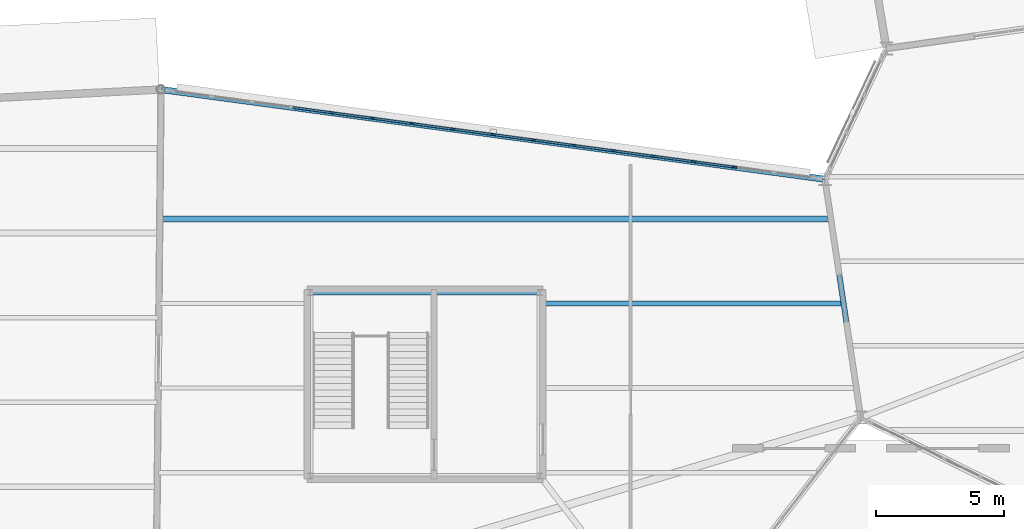
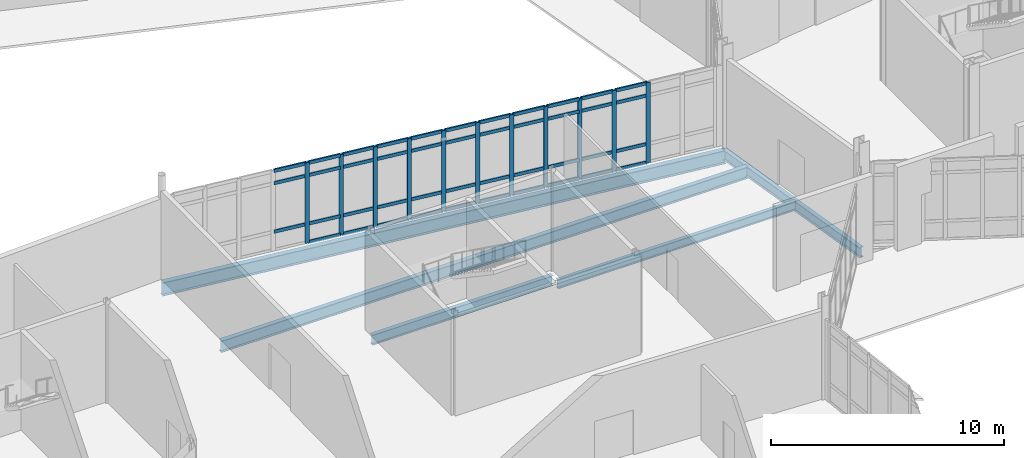
# One storey, part 31 of 113: 54 members, 5 beams, 1 element without a shape of its own.
"""IFC4 building model written with IfcOpenShell, lengths in metres."""

from ifc_helpers import new_model, si_unit, direction, frame, origin, origin_2d, place, context, subcontext, project, spatial, rectangle, i_section, extrude, material, material_profile, profile_set, type_object, element, aggregate, save


model = new_model("IFC4")

# Units and contexts
model_context = context("Model", 3, precision=1e-05, world=origin(), true_north=direction((0.0, 1.0)))
body_context = subcontext(model_context, "Body", "Model", "MODEL_VIEW")
ifc_project = project(units=[si_unit("LENGTHUNIT", "METRE"), si_unit("AREAUNIT", "SQUARE_METRE"), si_unit("VOLUMEUNIT", "CUBIC_METRE"), si_unit("PLANEANGLEUNIT", "RADIAN"), si_unit("MASSUNIT", "GRAM", prefix="KILO")], contexts=[model_context])

# Site, building, storey
site_placement = place(None, origin())
site = spatial("IfcSite", under=ifc_project, at=site_placement, CompositionType="ELEMENT")
building_placement = place(site_placement, origin())
building = spatial("IfcBuilding", under=site, at=building_placement, Name="Tameran Prism Museum", CompositionType="ELEMENT")
storey_placement = place(building_placement, origin())
storey = spatial("IfcBuildingStorey", under=building, at=storey_placement, Name="L00", CompositionType="ELEMENT", Elevation=0.0)

# Beams
ifc_material_1 = material(Name="Steel Grade 300PLUS (300 MPa)", Category="steel")
ifc_material_profile_1 = material_profile(ifc_material_1, i_section(OverallWidth=0.18994140625, OverallDepth=0.4541015625, WebThickness=0.008544921875, FlangeThickness=0.0126953125, FilletRadius=0.011474609375, at=origin_2d()))
ifc_profile_set_1 = profile_set([ifc_material_profile_1])
beam_type_1 = type_object("IfcBeamType", Name="BM-J460B", PredefinedType="JOIST", material=ifc_profile_set_1)
beam_1_placement = place(storey_placement, frame((38.47998046875, 34.64990234375, -0.467041015625), z_axis=(1.0, 0.0, 0.0), x_axis=(0.0, 1.0, 0.0)))
element("IfcBeam", 1, at=beam_1_placement, inside=storey, type_object=beam_type_1, Name="Floor Beam BM-0281", PredefinedType="JOIST", context=body_context, shape_type="SweptSolid", body=[
    extrude(i_section(OverallWidth=0.18994140625, OverallDepth=0.4541015625, WebThickness=0.008544921875, FlangeThickness=0.0126953125, FilletRadius=0.011474609375, at=origin_2d()), origin(), (0.0, 0.0, 1.0), 11.81005859375),
])
ifc_material_2 = material(Name="Steel Grade 300PLUS (300 MPa)", Category="steel")
ifc_material_profile_2 = material_profile(ifc_material_2, i_section(OverallWidth=0.208984375, OverallDepth=0.532958984375, WebThickness=0.01025390625, FlangeThickness=0.015625, FilletRadius=0.013916015625, at=origin_2d()))
ifc_profile_set_2 = profile_set([ifc_material_profile_2])
beam_type_2 = type_object("IfcBeamType", Name="BM-SP530A", PredefinedType="SPANDREL", material=ifc_profile_set_2)
beam_2_placement = place(storey_placement, frame((49.60009765625, 39.5, -0.506591796875), z_axis=(0.148849460064, -0.988859867847, 0.0), x_axis=(0.988859867847, 0.148849460064, 0.0)))
element("IfcBeam", 2, at=beam_2_placement, inside=storey, type_object=beam_type_2, Name="Perimeter Spandrel SP-0021", PredefinedType="SPANDREL", context=body_context, shape_type="SweptSolid", body=[
    extrude(i_section(OverallWidth=0.208984375, OverallDepth=0.532958984375, WebThickness=0.01025390625, FlangeThickness=0.015625, FilletRadius=0.013916015625, at=origin_2d()), origin(), (0.0, 0.0, 1.0), 9.40478515625),
])
ifc_material_3 = material(Name="Steel Grade 300PLUS (300 MPa)", Category="steel")
ifc_material_profile_3 = material_profile(ifc_material_3, i_section(OverallWidth=0.208984375, OverallDepth=0.528076171875, WebThickness=0.009521484375, FlangeThickness=0.01318359375, FilletRadius=0.013916015625, at=origin_2d()))
ifc_profile_set_3 = profile_set([ifc_material_profile_3])
beam_type_3 = type_object("IfcBeamType", Name="BM-SP530B", PredefinedType="SPANDREL", material=ifc_profile_set_3)
beam_3_placement = place(storey_placement, frame((38.47998046875, 35.080078125, -0.50390625), z_axis=(-1.0, 0.0, 0.0), x_axis=(0.0, -1.0, 0.0)))
element("IfcBeam", 3, at=beam_3_placement, inside=storey, type_object=beam_type_3, Name="Core Ring Beam CTB-0148", PredefinedType="SPANDREL", context=body_context, shape_type="SweptSolid", body=[
    extrude(i_section(OverallWidth=0.208984375, OverallDepth=0.528076171875, WebThickness=0.009521484375, FlangeThickness=0.01318359375, FilletRadius=0.013916015625, at=origin_2d()), origin(), (0.0, 0.0, 1.0), 8.9599609375),
])
ifc_material_4 = material(Name="Steel Grade 350 (350 MPa)", Category="steel")
ifc_material_profile_4 = material_profile(ifc_material_4, i_section(OverallWidth=0.25, OverallDepth=0.699951171875, WebThickness=0.010009765625, FlangeThickness=0.02001953125, at=origin_2d()))
ifc_profile_set_4 = profile_set([ifc_material_profile_4])
beam_type_4 = type_object("IfcBeamType", Name="BM-SP700", PredefinedType="SPANDREL", material=ifc_profile_set_4)
beam_4_placement = place(storey_placement, frame((49.60009765625, 39.5, -0.590087890625), z_axis=(-0.990992530926, 0.13391715218, 0.0), x_axis=(-0.13391715218, -0.990992530926, 0.0)))
element("IfcBeam", 4, at=beam_4_placement, inside=storey, type_object=beam_type_4, Name="Perimeter Spandrel SP-0073", PredefinedType="SPANDREL", context=body_context, shape_type="SweptSolid", body=[
    extrude(i_section(OverallWidth=0.25, OverallDepth=0.699951171875, WebThickness=0.010009765625, FlangeThickness=0.02001953125, at=origin_2d()), origin(), (0.0, 0.0, 1.0), 26.135498046875),
])
ifc_material_5 = material(Name="Steel Grade 300PLUS (300 MPa)", Category="steel")
ifc_material_profile_5 = material_profile(ifc_material_5, i_section(OverallWidth=0.22802734375, OverallDepth=0.60693359375, WebThickness=0.01123046875, FlangeThickness=0.017333984375, FilletRadius=0.013916015625, at=origin_2d()))
ifc_profile_set_5 = profile_set([ifc_material_profile_5])
beam_type_5 = type_object("IfcBeamType", Name="BM-UB610B", PredefinedType="BEAM", material=ifc_profile_set_5)
beam_5_placement = place(storey_placement, frame((23.69189453125, 37.949951171875, -0.54345703125), z_axis=(1.0, 0.0, 0.0), x_axis=(0.0, 1.0, 0.0)))
element("IfcBeam", 5, at=beam_5_placement, inside=storey, type_object=beam_type_5, Name="Floor Beam BM-0282", PredefinedType="BEAM", context=body_context, shape_type="SweptSolid", body=[
    extrude(i_section(OverallWidth=0.22802734375, OverallDepth=0.60693359375, WebThickness=0.01123046875, FlangeThickness=0.017333984375, FilletRadius=0.013916015625, at=origin_2d()), origin(), (0.0, 0.0, 1.0), 26.10107421875),
])

# Curtain wall, members
ifc_material_6 = material(Name="Anodised Aluminium 6063-T6 and Cyclone Solar Glass", Category="aluminium")
curtain_wall_type = type_object("IfcCurtainWallType", Name="CW-FAC-2532x422", PredefinedType="USERDEFINED", material=ifc_material_6)
curtain_wall_placement = place(storey_placement, origin())
curtain_wall = element("IfcCurtainWall", 6, at=curtain_wall_placement, inside=storey, type_object=curtain_wall_type, Name="Unitised Curtain Wall CW-049", ObjectType="UNITISED CURTAIN WALL", PredefinedType="USERDEFINED")
ifc_material_7 = material(Name="Anodised Aluminium Alloy 6063-T6", Category="aluminium")
ifc_material_profile_6 = material_profile(ifc_material_7, rectangle(XDim=0.074951171875, YDim=0.199951171875, at=origin_2d()))
ifc_profile_set_6 = profile_set([ifc_material_profile_6])
member_type_1 = type_object("IfcMemberType", Name="CW-MUL-C", PredefinedType="MULLION", material=ifc_profile_set_6)
member_1_placement = place(storey_placement, frame((30.378662109375, 42.097412109375, 0.0), z_axis=(0.0, 0.0, 1.0), x_axis=(0.133912653592, 0.99099313883, 0.0)))
member_1 = element("IfcMember", 7, at=member_1_placement, type_object=member_type_1, Name="CW-049 mullion 5", PredefinedType="MULLION", context=body_context, shape_type="SweptSolid", body=[
    extrude(rectangle(XDim=0.074951171875, YDim=0.199951171875, at=origin_2d()), origin(), (0.0, 0.0, 1.0), 4.219970703125),
])
member_2_placement = place(storey_placement, frame((31.94677734375, 41.8857421875, 0.0), z_axis=(0.0, 0.0, 1.0), x_axis=(0.133912653592, 0.99099313883, 0.0)))
member_2 = element("IfcMember", 8, at=member_2_placement, type_object=member_type_1, Name="CW-049 mullion 6", PredefinedType="MULLION", context=body_context, shape_type="SweptSolid", body=[
    extrude(rectangle(XDim=0.074951171875, YDim=0.199951171875, at=origin_2d()), origin(), (0.0, 0.0, 1.0), 4.219970703125),
])
member_3_placement = place(storey_placement, frame((33.5146484375, 41.673828125, 0.0), z_axis=(0.0, 0.0, 1.0), x_axis=(0.133912653592, 0.99099313883, 0.0)))
member_3 = element("IfcMember", 9, at=member_3_placement, type_object=member_type_1, Name="CW-049 mullion 7", PredefinedType="MULLION", context=body_context, shape_type="SweptSolid", body=[
    extrude(rectangle(XDim=0.074951171875, YDim=0.199951171875, at=origin_2d()), origin(), (0.0, 0.0, 1.0), 4.219970703125),
])
member_4_placement = place(storey_placement, frame((35.08251953125, 41.4619140625, 0.0), z_axis=(0.0, 0.0, 1.0), x_axis=(0.133912653592, 0.99099313883, 0.0)))
member_4 = element("IfcMember", 10, at=member_4_placement, type_object=member_type_1, Name="CW-049 mullion 8", PredefinedType="MULLION", context=body_context, shape_type="SweptSolid", body=[
    extrude(rectangle(XDim=0.074951171875, YDim=0.199951171875, at=origin_2d()), origin(), (0.0, 0.0, 1.0), 4.219970703125),
])
member_5_placement = place(storey_placement, frame((36.650390625, 41.25, 0.0), z_axis=(0.0, 0.0, 1.0), x_axis=(0.133912653592, 0.99099313883, 0.0)))
member_5 = element("IfcMember", 11, at=member_5_placement, type_object=member_type_1, Name="CW-049 mullion 9", PredefinedType="MULLION", context=body_context, shape_type="SweptSolid", body=[
    extrude(rectangle(XDim=0.074951171875, YDim=0.199951171875, at=origin_2d()), origin(), (0.0, 0.0, 1.0), 4.219970703125),
])
member_6_placement = place(storey_placement, frame((38.218505859375, 41.0380859375, 0.0), z_axis=(0.0, 0.0, 1.0), x_axis=(0.133912653592, 0.99099313883, 0.0)))
member_6 = element("IfcMember", 12, at=member_6_placement, type_object=member_type_1, Name="CW-049 mullion 10", PredefinedType="MULLION", context=body_context, shape_type="SweptSolid", body=[
    extrude(rectangle(XDim=0.074951171875, YDim=0.199951171875, at=origin_2d()), origin(), (0.0, 0.0, 1.0), 4.219970703125),
])
member_7_placement = place(storey_placement, frame((39.786376953125, 40.826171875, 0.0), z_axis=(0.0, 0.0, 1.0), x_axis=(0.133912653592, 0.99099313883, 0.0)))
member_7 = element("IfcMember", 13, at=member_7_placement, type_object=member_type_1, Name="CW-049 mullion 11", PredefinedType="MULLION", context=body_context, shape_type="SweptSolid", body=[
    extrude(rectangle(XDim=0.074951171875, YDim=0.199951171875, at=origin_2d()), origin(), (0.0, 0.0, 1.0), 4.219970703125),
])
member_8_placement = place(storey_placement, frame((41.354248046875, 40.6142578125, 0.0), z_axis=(0.0, 0.0, 1.0), x_axis=(0.133912653592, 0.99099313883, 0.0)))
member_8 = element("IfcMember", 14, at=member_8_placement, type_object=member_type_1, Name="CW-049 mullion 12", PredefinedType="MULLION", context=body_context, shape_type="SweptSolid", body=[
    extrude(rectangle(XDim=0.074951171875, YDim=0.199951171875, at=origin_2d()), origin(), (0.0, 0.0, 1.0), 4.219970703125),
])
member_9_placement = place(storey_placement, frame((42.92236328125, 40.402587890625, 0.0), z_axis=(0.0, 0.0, 1.0), x_axis=(0.133912653592, 0.99099313883, 0.0)))
member_9 = element("IfcMember", 15, at=member_9_placement, type_object=member_type_1, Name="CW-049 mullion 13", PredefinedType="MULLION", context=body_context, shape_type="SweptSolid", body=[
    extrude(rectangle(XDim=0.074951171875, YDim=0.199951171875, at=origin_2d()), origin(), (0.0, 0.0, 1.0), 4.219970703125),
])
member_10_placement = place(storey_placement, frame((44.490234375, 40.190673828125, 0.0), z_axis=(0.0, 0.0, 1.0), x_axis=(0.133912653592, 0.99099313883, 0.0)))
member_10 = element("IfcMember", 16, at=member_10_placement, type_object=member_type_1, Name="CW-049 mullion 14", PredefinedType="MULLION", context=body_context, shape_type="SweptSolid", body=[
    extrude(rectangle(XDim=0.074951171875, YDim=0.199951171875, at=origin_2d()), origin(), (0.0, 0.0, 1.0), 4.219970703125),
])
member_11_placement = place(storey_placement, frame((46.05810546875, 39.978759765625, 0.0), z_axis=(0.0, 0.0, 1.0), x_axis=(0.133912653592, 0.99099313883, 0.0)))
member_11 = element("IfcMember", 17, at=member_11_placement, type_object=member_type_1, Name="CW-049 mullion 15", PredefinedType="MULLION", context=body_context, shape_type="SweptSolid", body=[
    extrude(rectangle(XDim=0.074951171875, YDim=0.199951171875, at=origin_2d()), origin(), (0.0, 0.0, 1.0), 4.219970703125),
])
ifc_material_8 = material(Name="Anodised Aluminium Alloy 6063-T6", Category="aluminium")
ifc_material_profile_7 = material_profile(ifc_material_8, rectangle(XDim=0.074951171875, YDim=0.175048828125, at=origin_2d()))
ifc_profile_set_7 = profile_set([ifc_material_profile_7])
member_type_2 = type_object("IfcMemberType", Name="CW-TRN-C", PredefinedType="USERDEFINED", material=ifc_profile_set_7)
member_12_placement = place(storey_placement, frame((28.847900390625, 42.304443359375, 1.0), z_axis=(0.990987200779, -0.133956589579, 0.0), x_axis=(0.133956589579, 0.990987200779, 0.0)))
member_12 = element("IfcMember", 18, at=member_12_placement, type_object=member_type_2, Name="CW-049 transom 4.2", ObjectType="TRANSOM", PredefinedType="USERDEFINED", context=body_context, shape_type="SweptSolid", body=[
    extrude(rectangle(XDim=0.074951171875, YDim=0.175048828125, at=origin_2d()), origin(), (0.0, 0.0, 1.0), 1.50732421875),
])
member_13_placement = place(storey_placement, frame((28.847900390625, 42.304443359375, 3.5400390625), z_axis=(0.990987200779, -0.133956589579, 0.0), x_axis=(0.133956589579, 0.990987200779, 0.0)))
member_13 = element("IfcMember", 19, at=member_13_placement, type_object=member_type_2, Name="CW-049 transom 4.3", ObjectType="TRANSOM", PredefinedType="USERDEFINED", context=body_context, shape_type="SweptSolid", body=[
    extrude(rectangle(XDim=0.074951171875, YDim=0.175048828125, at=origin_2d()), origin(), (0.0, 0.0, 1.0), 1.50732421875),
])
member_14_placement = place(storey_placement, frame((28.847900390625, 42.304443359375, 4.1826171875), z_axis=(0.990987200779, -0.133956589579, 0.0), x_axis=(0.133956589579, 0.990987200779, 0.0)))
member_14 = element("IfcMember", 20, at=member_14_placement, type_object=member_type_2, Name="CW-049 transom 4.4", ObjectType="TRANSOM", PredefinedType="USERDEFINED", context=body_context, shape_type="SweptSolid", body=[
    extrude(rectangle(XDim=0.074951171875, YDim=0.175048828125, at=origin_2d()), origin(), (0.0, 0.0, 1.0), 1.50732421875),
])
member_15_placement = place(storey_placement, frame((30.416015625, 42.092529296875, 0.03759765625), z_axis=(0.990984293469, -0.133978095586, 0.0), x_axis=(0.133978095586, 0.990984293469, 0.0)))
member_15 = element("IfcMember", 21, at=member_15_placement, type_object=member_type_2, Name="CW-049 transom 5.1", ObjectType="TRANSOM", PredefinedType="USERDEFINED", context=body_context, shape_type="SweptSolid", body=[
    extrude(rectangle(XDim=0.074951171875, YDim=0.175048828125, at=origin_2d()), origin(), (0.0, 0.0, 1.0), 1.507080078125),
])
member_16_placement = place(storey_placement, frame((30.416015625, 42.092529296875, 1.0), z_axis=(0.990984293469, -0.133978095586, 0.0), x_axis=(0.133978095586, 0.990984293469, 0.0)))
member_16 = element("IfcMember", 22, at=member_16_placement, type_object=member_type_2, Name="CW-049 transom 5.2", ObjectType="TRANSOM", PredefinedType="USERDEFINED", context=body_context, shape_type="SweptSolid", body=[
    extrude(rectangle(XDim=0.074951171875, YDim=0.175048828125, at=origin_2d()), origin(), (0.0, 0.0, 1.0), 1.507080078125),
])
member_17_placement = place(storey_placement, frame((30.416015625, 42.092529296875, 3.5400390625), z_axis=(0.990984293469, -0.133978095586, 0.0), x_axis=(0.133978095586, 0.990984293469, 0.0)))
member_17 = element("IfcMember", 23, at=member_17_placement, type_object=member_type_2, Name="CW-049 transom 5.3", ObjectType="TRANSOM", PredefinedType="USERDEFINED", context=body_context, shape_type="SweptSolid", body=[
    extrude(rectangle(XDim=0.074951171875, YDim=0.175048828125, at=origin_2d()), origin(), (0.0, 0.0, 1.0), 1.507080078125),
])
member_18_placement = place(storey_placement, frame((30.416015625, 42.092529296875, 4.1826171875), z_axis=(0.990984293469, -0.133978095586, 0.0), x_axis=(0.133978095586, 0.990984293469, 0.0)))
member_18 = element("IfcMember", 24, at=member_18_placement, type_object=member_type_2, Name="CW-049 transom 5.4", ObjectType="TRANSOM", PredefinedType="USERDEFINED", context=body_context, shape_type="SweptSolid", body=[
    extrude(rectangle(XDim=0.074951171875, YDim=0.175048828125, at=origin_2d()), origin(), (0.0, 0.0, 1.0), 1.507080078125),
])
member_19_placement = place(storey_placement, frame((31.98388671875, 41.880615234375, 0.03759765625), z_axis=(0.990987200779, -0.133956589579, 0.0), x_axis=(0.133956589579, 0.990987200779, 0.0)))
member_19 = element("IfcMember", 25, at=member_19_placement, type_object=member_type_2, Name="CW-049 transom 6.1", ObjectType="TRANSOM", PredefinedType="USERDEFINED", context=body_context, shape_type="SweptSolid", body=[
    extrude(rectangle(XDim=0.074951171875, YDim=0.175048828125, at=origin_2d()), origin(), (0.0, 0.0, 1.0), 1.50732421875),
])
member_20_placement = place(storey_placement, frame((31.98388671875, 41.880615234375, 1.0), z_axis=(0.990987200779, -0.133956589579, 0.0), x_axis=(0.133956589579, 0.990987200779, 0.0)))
member_20 = element("IfcMember", 26, at=member_20_placement, type_object=member_type_2, Name="CW-049 transom 6.2", ObjectType="TRANSOM", PredefinedType="USERDEFINED", context=body_context, shape_type="SweptSolid", body=[
    extrude(rectangle(XDim=0.074951171875, YDim=0.175048828125, at=origin_2d()), origin(), (0.0, 0.0, 1.0), 1.50732421875),
])
member_21_placement = place(storey_placement, frame((31.98388671875, 41.880615234375, 3.5400390625), z_axis=(0.990987200779, -0.133956589579, 0.0), x_axis=(0.133956589579, 0.990987200779, 0.0)))
member_21 = element("IfcMember", 27, at=member_21_placement, type_object=member_type_2, Name="CW-049 transom 6.3", ObjectType="TRANSOM", PredefinedType="USERDEFINED", context=body_context, shape_type="SweptSolid", body=[
    extrude(rectangle(XDim=0.074951171875, YDim=0.175048828125, at=origin_2d()), origin(), (0.0, 0.0, 1.0), 1.50732421875),
])
member_22_placement = place(storey_placement, frame((31.98388671875, 41.880615234375, 4.1826171875), z_axis=(0.990987200779, -0.133956589579, 0.0), x_axis=(0.133956589579, 0.990987200779, 0.0)))
member_22 = element("IfcMember", 28, at=member_22_placement, type_object=member_type_2, Name="CW-049 transom 6.4", ObjectType="TRANSOM", PredefinedType="USERDEFINED", context=body_context, shape_type="SweptSolid", body=[
    extrude(rectangle(XDim=0.074951171875, YDim=0.175048828125, at=origin_2d()), origin(), (0.0, 0.0, 1.0), 1.50732421875),
])
member_23_placement = place(storey_placement, frame((33.5517578125, 41.668701171875, 0.03759765625), z_axis=(0.990987200779, -0.133956589579, 0.0), x_axis=(0.133956589579, 0.990987200779, 0.0)))
member_23 = element("IfcMember", 29, at=member_23_placement, type_object=member_type_2, Name="CW-049 transom 7.1", ObjectType="TRANSOM", PredefinedType="USERDEFINED", context=body_context, shape_type="SweptSolid", body=[
    extrude(rectangle(XDim=0.074951171875, YDim=0.175048828125, at=origin_2d()), origin(), (0.0, 0.0, 1.0), 1.50732421875),
])
member_24_placement = place(storey_placement, frame((33.5517578125, 41.668701171875, 1.0), z_axis=(0.990987200779, -0.133956589579, 0.0), x_axis=(0.133956589579, 0.990987200779, 0.0)))
member_24 = element("IfcMember", 30, at=member_24_placement, type_object=member_type_2, Name="CW-049 transom 7.2", ObjectType="TRANSOM", PredefinedType="USERDEFINED", context=body_context, shape_type="SweptSolid", body=[
    extrude(rectangle(XDim=0.074951171875, YDim=0.175048828125, at=origin_2d()), origin(), (0.0, 0.0, 1.0), 1.50732421875),
])
member_25_placement = place(storey_placement, frame((33.5517578125, 41.668701171875, 3.5400390625), z_axis=(0.990987200779, -0.133956589579, 0.0), x_axis=(0.133956589579, 0.990987200779, 0.0)))
member_25 = element("IfcMember", 31, at=member_25_placement, type_object=member_type_2, Name="CW-049 transom 7.3", ObjectType="TRANSOM", PredefinedType="USERDEFINED", context=body_context, shape_type="SweptSolid", body=[
    extrude(rectangle(XDim=0.074951171875, YDim=0.175048828125, at=origin_2d()), origin(), (0.0, 0.0, 1.0), 1.50732421875),
])
member_26_placement = place(storey_placement, frame((33.5517578125, 41.668701171875, 4.1826171875), z_axis=(0.990987200779, -0.133956589579, 0.0), x_axis=(0.133956589579, 0.990987200779, 0.0)))
member_26 = element("IfcMember", 32, at=member_26_placement, type_object=member_type_2, Name="CW-049 transom 7.4", ObjectType="TRANSOM", PredefinedType="USERDEFINED", context=body_context, shape_type="SweptSolid", body=[
    extrude(rectangle(XDim=0.074951171875, YDim=0.175048828125, at=origin_2d()), origin(), (0.0, 0.0, 1.0), 1.50732421875),
])
member_27_placement = place(storey_placement, frame((35.11962890625, 41.456787109375, 0.03759765625), z_axis=(0.991008691064, -0.133797512066, 0.0), x_axis=(0.133797512066, 0.991008691064, 0.0)))
member_27 = element("IfcMember", 33, at=member_27_placement, type_object=member_type_2, Name="CW-049 transom 8.1", ObjectType="TRANSOM", PredefinedType="USERDEFINED", context=body_context, shape_type="SweptSolid", body=[
    extrude(rectangle(XDim=0.074951171875, YDim=0.175048828125, at=origin_2d()), origin(), (0.0, 0.0, 1.0), 1.50732421875),
])
member_28_placement = place(storey_placement, frame((35.11962890625, 41.456787109375, 1.0), z_axis=(0.991008691064, -0.133797512066, 0.0), x_axis=(0.133797512066, 0.991008691064, 0.0)))
member_28 = element("IfcMember", 34, at=member_28_placement, type_object=member_type_2, Name="CW-049 transom 8.2", ObjectType="TRANSOM", PredefinedType="USERDEFINED", context=body_context, shape_type="SweptSolid", body=[
    extrude(rectangle(XDim=0.074951171875, YDim=0.175048828125, at=origin_2d()), origin(), (0.0, 0.0, 1.0), 1.50732421875),
])
member_29_placement = place(storey_placement, frame((35.11962890625, 41.456787109375, 3.5400390625), z_axis=(0.991008691064, -0.133797512066, 0.0), x_axis=(0.133797512066, 0.991008691064, 0.0)))
member_29 = element("IfcMember", 35, at=member_29_placement, type_object=member_type_2, Name="CW-049 transom 8.3", ObjectType="TRANSOM", PredefinedType="USERDEFINED", context=body_context, shape_type="SweptSolid", body=[
    extrude(rectangle(XDim=0.074951171875, YDim=0.175048828125, at=origin_2d()), origin(), (0.0, 0.0, 1.0), 1.50732421875),
])
member_30_placement = place(storey_placement, frame((35.11962890625, 41.456787109375, 4.1826171875), z_axis=(0.991008691064, -0.133797512066, 0.0), x_axis=(0.133797512066, 0.991008691064, 0.0)))
member_30 = element("IfcMember", 36, at=member_30_placement, type_object=member_type_2, Name="CW-049 transom 8.4", ObjectType="TRANSOM", PredefinedType="USERDEFINED", context=body_context, shape_type="SweptSolid", body=[
    extrude(rectangle(XDim=0.074951171875, YDim=0.175048828125, at=origin_2d()), origin(), (0.0, 0.0, 1.0), 1.50732421875),
])
member_31_placement = place(storey_placement, frame((36.687744140625, 41.244873046875, 0.03759765625), z_axis=(0.991008691064, -0.133797512066, 0.0), x_axis=(0.133797512066, 0.991008691064, 0.0)))
member_31 = element("IfcMember", 37, at=member_31_placement, type_object=member_type_2, Name="CW-049 transom 9.1", ObjectType="TRANSOM", PredefinedType="USERDEFINED", context=body_context, shape_type="SweptSolid", body=[
    extrude(rectangle(XDim=0.074951171875, YDim=0.175048828125, at=origin_2d()), origin(), (0.0, 0.0, 1.0), 1.50732421875),
])
member_32_placement = place(storey_placement, frame((36.687744140625, 41.244873046875, 1.0), z_axis=(0.991008691064, -0.133797512066, 0.0), x_axis=(0.133797512066, 0.991008691064, 0.0)))
member_32 = element("IfcMember", 38, at=member_32_placement, type_object=member_type_2, Name="CW-049 transom 9.2", ObjectType="TRANSOM", PredefinedType="USERDEFINED", context=body_context, shape_type="SweptSolid", body=[
    extrude(rectangle(XDim=0.074951171875, YDim=0.175048828125, at=origin_2d()), origin(), (0.0, 0.0, 1.0), 1.50732421875),
])
member_33_placement = place(storey_placement, frame((36.687744140625, 41.244873046875, 3.5400390625), z_axis=(0.991008691064, -0.133797512066, 0.0), x_axis=(0.133797512066, 0.991008691064, 0.0)))
member_33 = element("IfcMember", 39, at=member_33_placement, type_object=member_type_2, Name="CW-049 transom 9.3", ObjectType="TRANSOM", PredefinedType="USERDEFINED", context=body_context, shape_type="SweptSolid", body=[
    extrude(rectangle(XDim=0.074951171875, YDim=0.175048828125, at=origin_2d()), origin(), (0.0, 0.0, 1.0), 1.50732421875),
])
member_34_placement = place(storey_placement, frame((36.687744140625, 41.244873046875, 4.1826171875), z_axis=(0.991008691064, -0.133797512066, 0.0), x_axis=(0.133797512066, 0.991008691064, 0.0)))
member_34 = element("IfcMember", 40, at=member_34_placement, type_object=member_type_2, Name="CW-049 transom 9.4", ObjectType="TRANSOM", PredefinedType="USERDEFINED", context=body_context, shape_type="SweptSolid", body=[
    extrude(rectangle(XDim=0.074951171875, YDim=0.175048828125, at=origin_2d()), origin(), (0.0, 0.0, 1.0), 1.50732421875),
])
member_35_placement = place(storey_placement, frame((38.255615234375, 41.033203125, 0.03759765625), z_axis=(0.990987200779, -0.133956589579, 0.0), x_axis=(0.133956589579, 0.990987200779, 0.0)))
member_35 = element("IfcMember", 41, at=member_35_placement, type_object=member_type_2, Name="CW-049 transom 10.1", ObjectType="TRANSOM", PredefinedType="USERDEFINED", context=body_context, shape_type="SweptSolid", body=[
    extrude(rectangle(XDim=0.074951171875, YDim=0.175048828125, at=origin_2d()), origin(), (0.0, 0.0, 1.0), 1.50732421875),
])
member_36_placement = place(storey_placement, frame((38.255615234375, 41.033203125, 1.0), z_axis=(0.990987200779, -0.133956589579, 0.0), x_axis=(0.133956589579, 0.990987200779, 0.0)))
member_36 = element("IfcMember", 42, at=member_36_placement, type_object=member_type_2, Name="CW-049 transom 10.2", ObjectType="TRANSOM", PredefinedType="USERDEFINED", context=body_context, shape_type="SweptSolid", body=[
    extrude(rectangle(XDim=0.074951171875, YDim=0.175048828125, at=origin_2d()), origin(), (0.0, 0.0, 1.0), 1.50732421875),
])
member_37_placement = place(storey_placement, frame((38.255615234375, 41.033203125, 3.5400390625), z_axis=(0.990987200779, -0.133956589579, 0.0), x_axis=(0.133956589579, 0.990987200779, 0.0)))
member_37 = element("IfcMember", 43, at=member_37_placement, type_object=member_type_2, Name="CW-049 transom 10.3", ObjectType="TRANSOM", PredefinedType="USERDEFINED", context=body_context, shape_type="SweptSolid", body=[
    extrude(rectangle(XDim=0.074951171875, YDim=0.175048828125, at=origin_2d()), origin(), (0.0, 0.0, 1.0), 1.50732421875),
])
member_38_placement = place(storey_placement, frame((38.255615234375, 41.033203125, 4.1826171875), z_axis=(0.990987200779, -0.133956589579, 0.0), x_axis=(0.133956589579, 0.990987200779, 0.0)))
member_38 = element("IfcMember", 44, at=member_38_placement, type_object=member_type_2, Name="CW-049 transom 10.4", ObjectType="TRANSOM", PredefinedType="USERDEFINED", context=body_context, shape_type="SweptSolid", body=[
    extrude(rectangle(XDim=0.074951171875, YDim=0.175048828125, at=origin_2d()), origin(), (0.0, 0.0, 1.0), 1.50732421875),
])
member_39_placement = place(storey_placement, frame((39.823486328125, 40.8212890625, 0.03759765625), z_axis=(0.990987200779, -0.133956589579, 0.0), x_axis=(0.133956589579, 0.990987200779, 0.0)))
member_39 = element("IfcMember", 45, at=member_39_placement, type_object=member_type_2, Name="CW-049 transom 11.1", ObjectType="TRANSOM", PredefinedType="USERDEFINED", context=body_context, shape_type="SweptSolid", body=[
    extrude(rectangle(XDim=0.074951171875, YDim=0.175048828125, at=origin_2d()), origin(), (0.0, 0.0, 1.0), 1.50732421875),
])
member_40_placement = place(storey_placement, frame((39.823486328125, 40.8212890625, 1.0), z_axis=(0.990987200779, -0.133956589579, 0.0), x_axis=(0.133956589579, 0.990987200779, 0.0)))
member_40 = element("IfcMember", 46, at=member_40_placement, type_object=member_type_2, Name="CW-049 transom 11.2", ObjectType="TRANSOM", PredefinedType="USERDEFINED", context=body_context, shape_type="SweptSolid", body=[
    extrude(rectangle(XDim=0.074951171875, YDim=0.175048828125, at=origin_2d()), origin(), (0.0, 0.0, 1.0), 1.50732421875),
])
member_41_placement = place(storey_placement, frame((39.823486328125, 40.8212890625, 3.5400390625), z_axis=(0.990987200779, -0.133956589579, 0.0), x_axis=(0.133956589579, 0.990987200779, 0.0)))
member_41 = element("IfcMember", 47, at=member_41_placement, type_object=member_type_2, Name="CW-049 transom 11.3", ObjectType="TRANSOM", PredefinedType="USERDEFINED", context=body_context, shape_type="SweptSolid", body=[
    extrude(rectangle(XDim=0.074951171875, YDim=0.175048828125, at=origin_2d()), origin(), (0.0, 0.0, 1.0), 1.50732421875),
])
member_42_placement = place(storey_placement, frame((39.823486328125, 40.8212890625, 4.1826171875), z_axis=(0.990987200779, -0.133956589579, 0.0), x_axis=(0.133956589579, 0.990987200779, 0.0)))
member_42 = element("IfcMember", 48, at=member_42_placement, type_object=member_type_2, Name="CW-049 transom 11.4", ObjectType="TRANSOM", PredefinedType="USERDEFINED", context=body_context, shape_type="SweptSolid", body=[
    extrude(rectangle(XDim=0.074951171875, YDim=0.175048828125, at=origin_2d()), origin(), (0.0, 0.0, 1.0), 1.50732421875),
])
member_43_placement = place(storey_placement, frame((41.391357421875, 40.609375, 0.03759765625), z_axis=(0.990987200779, -0.133956589579, 0.0), x_axis=(0.133956589579, 0.990987200779, 0.0)))
member_43 = element("IfcMember", 49, at=member_43_placement, type_object=member_type_2, Name="CW-049 transom 12.1", ObjectType="TRANSOM", PredefinedType="USERDEFINED", context=body_context, shape_type="SweptSolid", body=[
    extrude(rectangle(XDim=0.074951171875, YDim=0.175048828125, at=origin_2d()), origin(), (0.0, 0.0, 1.0), 1.50732421875),
])
member_44_placement = place(storey_placement, frame((41.391357421875, 40.609375, 1.0), z_axis=(0.990987200779, -0.133956589579, 0.0), x_axis=(0.133956589579, 0.990987200779, 0.0)))
member_44 = element("IfcMember", 50, at=member_44_placement, type_object=member_type_2, Name="CW-049 transom 12.2", ObjectType="TRANSOM", PredefinedType="USERDEFINED", context=body_context, shape_type="SweptSolid", body=[
    extrude(rectangle(XDim=0.074951171875, YDim=0.175048828125, at=origin_2d()), origin(), (0.0, 0.0, 1.0), 1.50732421875),
])
member_45_placement = place(storey_placement, frame((41.391357421875, 40.609375, 3.5400390625), z_axis=(0.990987200779, -0.133956589579, 0.0), x_axis=(0.133956589579, 0.990987200779, 0.0)))
member_45 = element("IfcMember", 51, at=member_45_placement, type_object=member_type_2, Name="CW-049 transom 12.3", ObjectType="TRANSOM", PredefinedType="USERDEFINED", context=body_context, shape_type="SweptSolid", body=[
    extrude(rectangle(XDim=0.074951171875, YDim=0.175048828125, at=origin_2d()), origin(), (0.0, 0.0, 1.0), 1.50732421875),
])
member_46_placement = place(storey_placement, frame((41.391357421875, 40.609375, 4.1826171875), z_axis=(0.990987200779, -0.133956589579, 0.0), x_axis=(0.133956589579, 0.990987200779, 0.0)))
member_46 = element("IfcMember", 52, at=member_46_placement, type_object=member_type_2, Name="CW-049 transom 12.4", ObjectType="TRANSOM", PredefinedType="USERDEFINED", context=body_context, shape_type="SweptSolid", body=[
    extrude(rectangle(XDim=0.074951171875, YDim=0.175048828125, at=origin_2d()), origin(), (0.0, 0.0, 1.0), 1.50732421875),
])
member_47_placement = place(storey_placement, frame((42.95947265625, 40.3974609375, 0.03759765625), z_axis=(0.990987200779, -0.133956589579, 0.0), x_axis=(0.133956589579, 0.990987200779, 0.0)))
member_47 = element("IfcMember", 53, at=member_47_placement, type_object=member_type_2, Name="CW-049 transom 13.1", ObjectType="TRANSOM", PredefinedType="USERDEFINED", context=body_context, shape_type="SweptSolid", body=[
    extrude(rectangle(XDim=0.074951171875, YDim=0.175048828125, at=origin_2d()), origin(), (0.0, 0.0, 1.0), 1.50732421875),
])
member_48_placement = place(storey_placement, frame((42.95947265625, 40.3974609375, 1.0), z_axis=(0.990987200779, -0.133956589579, 0.0), x_axis=(0.133956589579, 0.990987200779, 0.0)))
member_48 = element("IfcMember", 54, at=member_48_placement, type_object=member_type_2, Name="CW-049 transom 13.2", ObjectType="TRANSOM", PredefinedType="USERDEFINED", context=body_context, shape_type="SweptSolid", body=[
    extrude(rectangle(XDim=0.074951171875, YDim=0.175048828125, at=origin_2d()), origin(), (0.0, 0.0, 1.0), 1.50732421875),
])
member_49_placement = place(storey_placement, frame((42.95947265625, 40.3974609375, 3.5400390625), z_axis=(0.990987200779, -0.133956589579, 0.0), x_axis=(0.133956589579, 0.990987200779, 0.0)))
member_49 = element("IfcMember", 55, at=member_49_placement, type_object=member_type_2, Name="CW-049 transom 13.3", ObjectType="TRANSOM", PredefinedType="USERDEFINED", context=body_context, shape_type="SweptSolid", body=[
    extrude(rectangle(XDim=0.074951171875, YDim=0.175048828125, at=origin_2d()), origin(), (0.0, 0.0, 1.0), 1.50732421875),
])
member_50_placement = place(storey_placement, frame((42.95947265625, 40.3974609375, 4.1826171875), z_axis=(0.990987200779, -0.133956589579, 0.0), x_axis=(0.133956589579, 0.990987200779, 0.0)))
member_50 = element("IfcMember", 56, at=member_50_placement, type_object=member_type_2, Name="CW-049 transom 13.4", ObjectType="TRANSOM", PredefinedType="USERDEFINED", context=body_context, shape_type="SweptSolid", body=[
    extrude(rectangle(XDim=0.074951171875, YDim=0.175048828125, at=origin_2d()), origin(), (0.0, 0.0, 1.0), 1.50732421875),
])
member_51_placement = place(storey_placement, frame((44.52734375, 40.185546875, 0.03759765625), z_axis=(0.991008691064, -0.133797512066, 0.0), x_axis=(0.133797512066, 0.991008691064, 0.0)))
member_51 = element("IfcMember", 57, at=member_51_placement, type_object=member_type_2, Name="CW-049 transom 14.1", ObjectType="TRANSOM", PredefinedType="USERDEFINED", context=body_context, shape_type="SweptSolid", body=[
    extrude(rectangle(XDim=0.074951171875, YDim=0.175048828125, at=origin_2d()), origin(), (0.0, 0.0, 1.0), 1.50732421875),
])
member_52_placement = place(storey_placement, frame((44.52734375, 40.185546875, 1.0), z_axis=(0.991008691064, -0.133797512066, 0.0), x_axis=(0.133797512066, 0.991008691064, 0.0)))
member_52 = element("IfcMember", 58, at=member_52_placement, type_object=member_type_2, Name="CW-049 transom 14.2", ObjectType="TRANSOM", PredefinedType="USERDEFINED", context=body_context, shape_type="SweptSolid", body=[
    extrude(rectangle(XDim=0.074951171875, YDim=0.175048828125, at=origin_2d()), origin(), (0.0, 0.0, 1.0), 1.50732421875),
])
member_53_placement = place(storey_placement, frame((44.52734375, 40.185546875, 3.5400390625), z_axis=(0.991008691064, -0.133797512066, 0.0), x_axis=(0.133797512066, 0.991008691064, 0.0)))
member_53 = element("IfcMember", 59, at=member_53_placement, type_object=member_type_2, Name="CW-049 transom 14.3", ObjectType="TRANSOM", PredefinedType="USERDEFINED", context=body_context, shape_type="SweptSolid", body=[
    extrude(rectangle(XDim=0.074951171875, YDim=0.175048828125, at=origin_2d()), origin(), (0.0, 0.0, 1.0), 1.50732421875),
])
member_54_placement = place(storey_placement, frame((44.52734375, 40.185546875, 4.1826171875), z_axis=(0.991008691064, -0.133797512066, 0.0), x_axis=(0.133797512066, 0.991008691064, 0.0)))
member_54 = element("IfcMember", 60, at=member_54_placement, type_object=member_type_2, Name="CW-049 transom 14.4", ObjectType="TRANSOM", PredefinedType="USERDEFINED", context=body_context, shape_type="SweptSolid", body=[
    extrude(rectangle(XDim=0.074951171875, YDim=0.175048828125, at=origin_2d()), origin(), (0.0, 0.0, 1.0), 1.50732421875),
])
aggregate(curtain_wall, [member_1, member_2, member_3, member_4, member_5, member_6, member_7, member_8, member_9, member_10, member_11, member_12, member_13, member_14, member_15, member_16, member_17, member_18, member_19, member_20, member_21, member_22, member_23, member_24, member_25, member_26, member_27, member_28, member_29, member_30, member_31, member_32, member_33, member_34, member_35, member_36, member_37, member_38, member_39, member_40, member_41, member_42, member_43, member_44, member_45, member_46, member_47, member_48, member_49, member_50, member_51, member_52, member_53, member_54])

save(model, "model.ifc")
